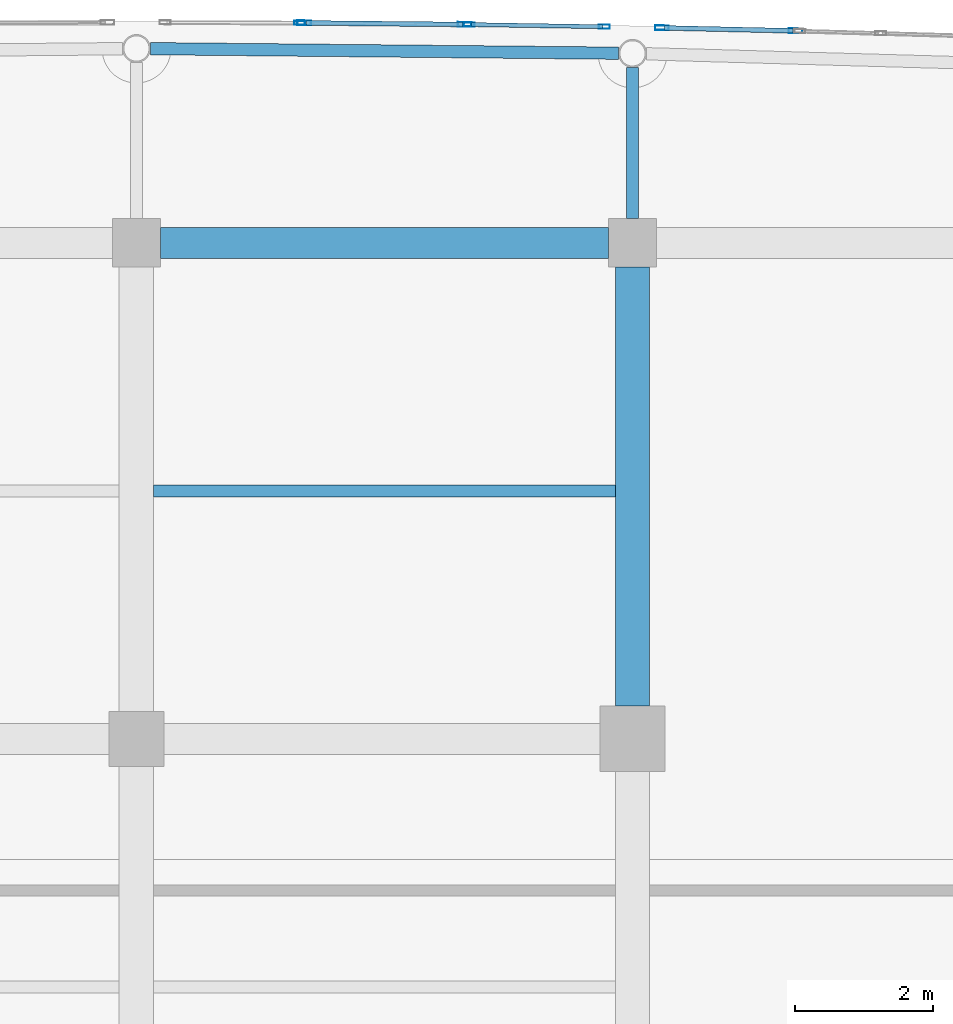
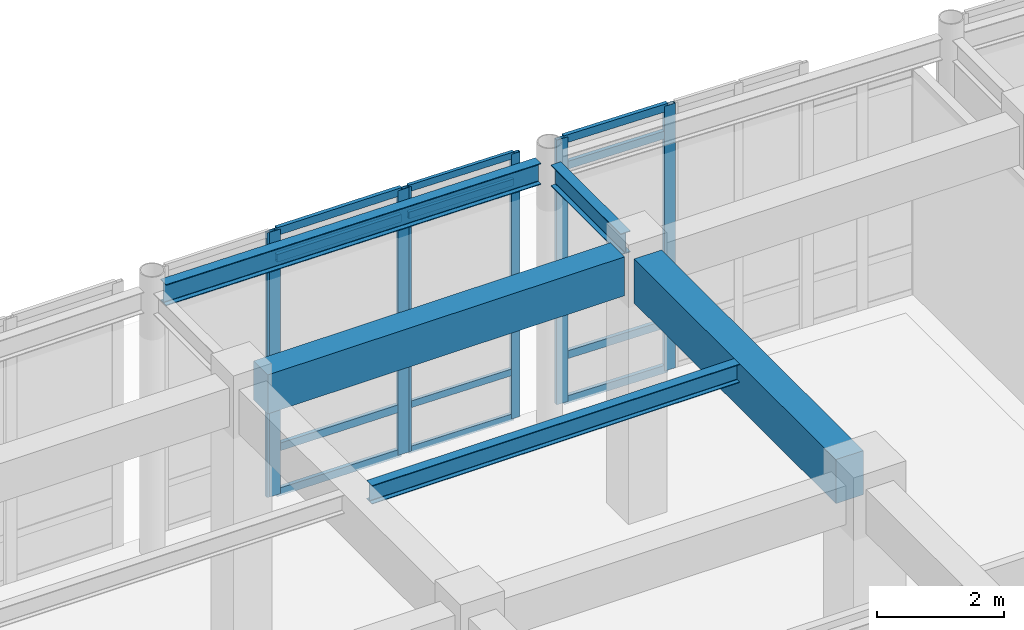
# One storey, part 45 of 102: 19 members, 5 beams, 4 elements without a shape of their own.
"""IFC4 building model written with IfcOpenShell, lengths in metres."""

from ifc_helpers import new_model, si_unit, direction, frame, origin, origin_2d, place, context, subcontext, project, spatial, rectangle, hollow_rectangle, i_section, extrude, material, layer, layer_set, material_profile, profile_set, type_object, element, aggregate, save


model = new_model("IFC4")

# Units and contexts
model_context = context("Model", 3, precision=1e-05, world=origin(), true_north=direction((0.0, 1.0)))
body_context = subcontext(model_context, "Body", "Model", "MODEL_VIEW")
ifc_project = project(units=[si_unit("LENGTHUNIT", "METRE"), si_unit("AREAUNIT", "SQUARE_METRE"), si_unit("VOLUMEUNIT", "CUBIC_METRE"), si_unit("PLANEANGLEUNIT", "RADIAN"), si_unit("MASSUNIT", "GRAM", prefix="KILO")], contexts=[model_context])

# Site, building, storey
site_placement = place(None, origin())
site = spatial("IfcSite", under=ifc_project, at=site_placement, CompositionType="ELEMENT")
building_placement = place(site_placement, origin())
building = spatial("IfcBuilding", under=site, at=building_placement, Name="Carrowvane Square Congress Hotel", CompositionType="ELEMENT")
storey_placement = place(building_placement, origin())
storey = spatial("IfcBuildingStorey", under=building, at=storey_placement, Name="L00", CompositionType="ELEMENT", Elevation=0.0)

# Beams
ifc_material_1 = material(Name="Concrete C35/45", Category="concrete")
ifc_material_profile_1 = material_profile(ifc_material_1, rectangle(XDim=0.449951171875, YDim=0.75, at=origin_2d()), Name="RC 450x750")
ifc_profile_set_1 = profile_set([ifc_material_profile_1], Name="Concrete C35/45")
beam_type_1 = type_object("IfcBeamType", Name="BM-RC-450x750", PredefinedType="USERDEFINED", material=ifc_profile_set_1)
beam_1_placement = place(storey_placement, frame((98.35009765625, 113.39990234375, 4.72509765625), z_axis=(1.0, 0.0, 0.0), x_axis=(0.0, 1.0, 0.0)))
element("IfcBeam", 1, at=beam_1_placement, inside=storey, type_object=beam_type_1, Name="L01 girder R/13-14", ObjectType="GIRDER", PredefinedType="USERDEFINED", context=body_context, shape_type="SweptSolid", body=[
    extrude(rectangle(XDim=0.449951171875, YDim=0.75, at=origin_2d()), origin(), (0.0, 0.0, 1.0), 6.5),
])
ifc_material_2 = material(Name="Concrete C35/45", Category="concrete")
ifc_material_profile_2 = material_profile(ifc_material_2, rectangle(XDim=0.5, YDim=0.85009765625, at=origin_2d()), Name="RC 500x850")
ifc_profile_set_2 = profile_set([ifc_material_profile_2], Name="Concrete C35/45")
beam_type_2 = type_object("IfcBeamType", Name="BM-RC-500x850", PredefinedType="USERDEFINED", material=ifc_profile_set_2)
beam_2_placement = place(storey_placement, frame((105.199951171875, 106.675048828125, 4.675048828125), z_axis=(0.0, 1.0, 0.0), x_axis=(-1.0, 0.0, 0.0)))
element("IfcBeam", 2, at=beam_2_placement, inside=storey, type_object=beam_type_2, Name="L01 girder 14/Q-R", ObjectType="GIRDER", PredefinedType="USERDEFINED", context=body_context, shape_type="SweptSolid", body=[
    extrude(rectangle(XDim=0.5, YDim=0.85009765625, at=origin_2d()), origin(), (0.0, 0.0, 1.0), 6.375),
])
ifc_material_3 = material(Name="Steel S355", Category="steel")
ifc_material_profile_3 = material_profile(ifc_material_3, i_section(OverallWidth=0.172119140625, OverallDepth=0.35791015625, WebThickness=0.008056640625, FlangeThickness=0.012939453125, FilletRadius=0.01025390625, at=origin_2d()), Name="UKB 356x171x57")
ifc_profile_set_3 = profile_set([ifc_material_profile_3], Name="Steel S355")
beam_type_3 = type_object("IfcBeamType", Name="BM-ST-UKB356", PredefinedType="JOIST", material=ifc_profile_set_3)
beam_3_placement = place(storey_placement, frame((98.25, 109.800048828125, 4.9208984375), z_axis=(1.0, 0.0, 0.0), x_axis=(0.0, 1.0, 0.0)))
element("IfcBeam", 3, at=beam_3_placement, inside=storey, type_object=beam_type_3, Name="L01 secondary joist 13-14", PredefinedType="JOIST", context=body_context, shape_type="SweptSolid", body=[
    extrude(i_section(OverallWidth=0.172119140625, OverallDepth=0.35791015625, WebThickness=0.008056640625, FlangeThickness=0.012939453125, FilletRadius=0.01025390625, at=origin_2d()), origin(), (0.0, 0.0, 1.0), 6.699951171875),
])
ifc_material_4 = material(Name="Steel S355", Category="steel")
ifc_material_profile_4 = material_profile(ifc_material_4, i_section(OverallWidth=0.1787109375, OverallDepth=0.409423828125, WebThickness=0.0087890625, FlangeThickness=0.014404296875, FilletRadius=0.01025390625, at=origin_2d()), Name="UKB 406x178x67")
ifc_profile_set_4 = profile_set([ifc_material_profile_4], Name="Steel S355")
beam_type_4 = type_object("IfcBeamType", Name="BM-ST-UKB406", PredefinedType="BEAM", material=ifc_profile_set_4)
beam_4_placement = place(storey_placement, frame((98.203125, 116.218017578125, 4.895263671875), z_axis=(0.999952581816, -0.009738281154, 0.0), x_axis=(0.009738281154, 0.999952581816, 0.0)))
element("IfcBeam", 4, at=beam_4_placement, inside=storey, type_object=beam_type_4, Name="L01 curved north spandrel", PredefinedType="BEAM", context=body_context, shape_type="SweptSolid", body=[
    extrude(i_section(OverallWidth=0.1787109375, OverallDepth=0.409423828125, WebThickness=0.0087890625, FlangeThickness=0.014404296875, FilletRadius=0.01025390625, at=origin_2d()), origin(), (0.0, 0.0, 1.0), 6.7939453125),
])
beam_5_placement = place(storey_placement, frame((105.199951171875, 113.75, 4.895263671875), z_axis=(0.0, 1.0, 0.0), x_axis=(-1.0, 0.0, 0.0)))
element("IfcBeam", 5, at=beam_5_placement, inside=storey, type_object=beam_type_4, Name="L01 radial north beam 14", PredefinedType="BEAM", context=body_context, shape_type="SweptSolid", body=[
    extrude(i_section(OverallWidth=0.1787109375, OverallDepth=0.409423828125, WebThickness=0.0087890625, FlangeThickness=0.014404296875, FilletRadius=0.01025390625, at=origin_2d()), origin(), (0.0, 0.0, 1.0), 2.196533203125),
])

# Curtain wall, member
ifc_material_5 = material(Name="Anodised aluminium", Category="aluminium")
ifc_layer_1 = layer(ifc_material_5, 0.18603515625)
ifc_layer_set_1 = layer_set([ifc_layer_1], Name="Anodised aluminium")
curtain_wall_type_1 = type_object("IfcCurtainWallType", Name="CW-SYS-3", PredefinedType="NOTDEFINED", material=ifc_layer_set_1)
curtain_wall_1_placement = place(storey_placement, origin())
curtain_wall_1 = element("IfcCurtainWall", 6, at=curtain_wall_1_placement, inside=storey, type_object=curtain_wall_type_1, Name="L00 unitised curtain wall 26", PredefinedType="NOTDEFINED")
ifc_material_6 = material(Name="Anodised aluminium", Category="aluminium")
ifc_material_profile_5 = material_profile(ifc_material_6, hollow_rectangle(XDim=0.06005859375, YDim=0.159912109375, WallThickness=0.00390625, at=origin_2d()), Name="CW-ML 60x160x4")
ifc_profile_set_5 = profile_set([ifc_material_profile_5], Name="Anodised aluminium")
member_type_1 = type_object("IfcMemberType", Name="CW-MUL-1", PredefinedType="MULLION", material=ifc_profile_set_5)
member_1_placement = place(storey_placement, frame((100.369873046875, 116.59228515625, 0.0), z_axis=(0.0, 0.0, 1.0), x_axis=(0.003270307911, 0.999994652529, 0.0)))
member_1 = element("IfcMember", 7, at=member_1_placement, type_object=member_type_1, Name="CW-3 mullion 2", PredefinedType="MULLION", context=body_context, shape_type="SweptSolid", body=[
    extrude(hollow_rectangle(XDim=0.06005859375, YDim=0.159912109375, WallThickness=0.00390625, at=origin_2d()), origin(), (0.0, 0.0, 1.0), 5.10009765625),
])
aggregate(curtain_wall_1, [member_1])

# Curtain wall, members
ifc_material_7 = material(Name="Anodised aluminium", Category="aluminium")
ifc_layer_2 = layer(ifc_material_7, 0.2099609375)
ifc_layer_set_2 = layer_set([ifc_layer_2], Name="Anodised aluminium")
curtain_wall_type_2 = type_object("IfcCurtainWallType", Name="CW-SYS-5", PredefinedType="NOTDEFINED", material=ifc_layer_set_2)
curtain_wall_2_placement = place(storey_placement, origin())
curtain_wall_2 = element("IfcCurtainWall", 8, at=curtain_wall_2_placement, inside=storey, type_object=curtain_wall_type_2, Name="L00 unitised curtain wall 28", PredefinedType="NOTDEFINED")
member_2_placement = place(storey_placement, frame((102.830078125, 116.568115234375, 0.0), z_axis=(0.0, 0.0, 1.0), x_axis=(0.016215981364, 0.99986851233, 0.0)))
member_2 = element("IfcMember", 9, at=member_2_placement, type_object=member_type_1, Name="CW-5 mullion 1", PredefinedType="MULLION", context=body_context, shape_type="SweptSolid", body=[
    extrude(hollow_rectangle(XDim=0.06005859375, YDim=0.159912109375, WallThickness=0.00390625, at=origin_2d()), origin(), (0.0, 0.0, 1.0), 5.10009765625),
])
member_3_placement = place(storey_placement, frame((104.79248046875, 116.536376953125, 0.0), z_axis=(0.0, 0.0, 1.0), x_axis=(0.016215981364, 0.99986851233, 0.0)))
member_3 = element("IfcMember", 10, at=member_3_placement, type_object=member_type_1, Name="CW-5 mullion 2", PredefinedType="MULLION", context=body_context, shape_type="SweptSolid", body=[
    extrude(hollow_rectangle(XDim=0.06005859375, YDim=0.159912109375, WallThickness=0.00390625, at=origin_2d()), origin(), (0.0, 0.0, 1.0), 5.10009765625),
])

ifc_material_8 = material(Name="Anodised aluminium", Category="aluminium")
ifc_layer_3 = layer(ifc_material_8, 0.197998046875)
ifc_layer_set_3 = layer_set([ifc_layer_3], Name="Anodised aluminium")
curtain_wall_type_3 = type_object("IfcCurtainWallType", Name="CW-SYS-4", PredefinedType="NOTDEFINED", material=ifc_layer_set_3)
curtain_wall_3_placement = place(storey_placement, origin())
curtain_wall_3 = element("IfcCurtainWall", 11, at=curtain_wall_3_placement, inside=storey, type_object=curtain_wall_type_3, Name="L00 unitised curtain wall 27", PredefinedType="NOTDEFINED")
ifc_material_9 = material(Name="Anodised aluminium", Category="aluminium")
ifc_material_profile_6 = material_profile(ifc_material_9, hollow_rectangle(XDim=0.070068359375, YDim=0.199951171875, WallThickness=0.0048828125, at=origin_2d()), Name="CW-ML 70x200x5")
ifc_profile_set_6 = profile_set([ifc_material_profile_6], Name="Anodised aluminium")
member_type_2 = type_object("IfcMemberType", Name="CW-MUL-2", PredefinedType="MULLION", material=ifc_profile_set_6)
member_4_placement = place(storey_placement, frame((100.43505859375, 116.591796875, 0.0), z_axis=(0.0, 0.0, 1.0), x_axis=(0.009782905924, 0.999952146231, 0.0)))
member_4 = element("IfcMember", 12, at=member_4_placement, type_object=member_type_2, Name="CW-4 mullion 1", PredefinedType="MULLION", context=body_context, shape_type="SweptSolid", body=[
    extrude(hollow_rectangle(XDim=0.070068359375, YDim=0.199951171875, WallThickness=0.0048828125, at=origin_2d()), origin(), (0.0, 0.0, 1.0), 5.10009765625),
])
member_5_placement = place(storey_placement, frame((102.764892578125, 116.569091796875, 0.0), z_axis=(0.0, 0.0, 1.0), x_axis=(0.009782905924, 0.999952146231, 0.0)))
member_5 = element("IfcMember", 13, at=member_5_placement, type_object=member_type_2, Name="CW-4 mullion 2", PredefinedType="MULLION", context=body_context, shape_type="SweptSolid", body=[
    extrude(hollow_rectangle(XDim=0.070068359375, YDim=0.199951171875, WallThickness=0.0048828125, at=origin_2d()), origin(), (0.0, 0.0, 1.0), 5.10009765625),
])

ifc_material_10 = material(Name="Anodised aluminium", Category="aluminium")
ifc_layer_4 = layer(ifc_material_10, 0.221923828125)
ifc_layer_set_4 = layer_set([ifc_layer_4], Name="Anodised aluminium")
curtain_wall_type_4 = type_object("IfcCurtainWallType", Name="CW-SYS-6", PredefinedType="NOTDEFINED", material=ifc_layer_set_4)
curtain_wall_4_placement = place(storey_placement, origin())
curtain_wall_4 = element("IfcCurtainWall", 14, at=curtain_wall_4_placement, inside=storey, type_object=curtain_wall_type_4, Name="L00 unitised curtain wall 29", PredefinedType="NOTDEFINED")
member_6_placement = place(storey_placement, frame((105.627197265625, 116.52001953125, 0.0), z_axis=(0.0, 0.0, 1.0), x_axis=(0.022517686606, 0.99974644475, 0.0)))
member_6 = element("IfcMember", 15, at=member_6_placement, type_object=member_type_2, Name="CW-6 mullion 1", PredefinedType="MULLION", context=body_context, shape_type="SweptSolid", body=[
    extrude(hollow_rectangle(XDim=0.070068359375, YDim=0.199951171875, WallThickness=0.0048828125, at=origin_2d()), origin(), (0.0, 0.0, 1.0), 5.10009765625),
])
member_7_placement = place(storey_placement, frame((107.56494140625, 116.4765625, 0.0), z_axis=(0.0, 0.0, 1.0), x_axis=(0.022517686606, 0.99974644475, 0.0)))
member_7 = element("IfcMember", 16, at=member_7_placement, type_object=member_type_2, Name="CW-6 mullion 2", PredefinedType="MULLION", context=body_context, shape_type="SweptSolid", body=[
    extrude(hollow_rectangle(XDim=0.070068359375, YDim=0.199951171875, WallThickness=0.0048828125, at=origin_2d()), origin(), (0.0, 0.0, 1.0), 5.10009765625),
])

# Member
ifc_material_11 = material(Name="Anodised aluminium", Category="aluminium")
ifc_material_profile_7 = material_profile(ifc_material_11, hollow_rectangle(XDim=0.06005859375, YDim=0.1298828125, WallThickness=0.00390625, at=origin_2d()), Name="CW-TR 60x130x4")
ifc_profile_set_7 = profile_set([ifc_material_profile_7], Name="Anodised aluminium")
member_type_3 = type_object("IfcMemberType", Name="CW-TRN-1", PredefinedType="USERDEFINED", material=ifc_profile_set_7)
member_8_placement = place(storey_placement, frame((102.860107421875, 116.567626953125, 0.030029296875), z_axis=(0.999869284212, -0.016168317481, 0.0), x_axis=(0.016168317481, 0.999869284212, 0.0)))
member_8 = element("IfcMember", 17, at=member_8_placement, type_object=member_type_3, Name="CW-5 transom 1.1", ObjectType="TRANSOM", PredefinedType="USERDEFINED", context=body_context, shape_type="SweptSolid", body=[
    extrude(hollow_rectangle(XDim=0.06005859375, YDim=0.1298828125, WallThickness=0.00390625, at=origin_2d()), origin(), (0.0, 0.0, 1.0), 1.902587890625),
])

member_9_placement = place(storey_placement, frame((102.860107421875, 116.567626953125, 0.89990234375), z_axis=(0.999869284212, -0.016168317481, 0.0), x_axis=(0.016168317481, 0.999869284212, 0.0)))
member_9 = element("IfcMember", 18, at=member_9_placement, type_object=member_type_3, Name="CW-5 transom 1.2", ObjectType="TRANSOM", PredefinedType="USERDEFINED", context=body_context, shape_type="SweptSolid", body=[
    extrude(hollow_rectangle(XDim=0.06005859375, YDim=0.1298828125, WallThickness=0.00390625, at=origin_2d()), origin(), (0.0, 0.0, 1.0), 1.902587890625),
])

member_10_placement = place(storey_placement, frame((102.860107421875, 116.567626953125, 4.550048828125), z_axis=(0.999869284212, -0.016168317481, 0.0), x_axis=(0.016168317481, 0.999869284212, 0.0)))
member_10 = element("IfcMember", 19, at=member_10_placement, type_object=member_type_3, Name="CW-5 transom 1.3", ObjectType="TRANSOM", PredefinedType="USERDEFINED", context=body_context, shape_type="SweptSolid", body=[
    extrude(hollow_rectangle(XDim=0.06005859375, YDim=0.1298828125, WallThickness=0.00390625, at=origin_2d()), origin(), (0.0, 0.0, 1.0), 1.902587890625),
])

member_11_placement = place(storey_placement, frame((102.860107421875, 116.567626953125, 5.070068359375), z_axis=(0.999869284212, -0.016168317481, 0.0), x_axis=(0.016168317481, 0.999869284212, 0.0)))
member_11 = element("IfcMember", 20, at=member_11_placement, type_object=member_type_3, Name="CW-5 transom 1.4", ObjectType="TRANSOM", PredefinedType="USERDEFINED", context=body_context, shape_type="SweptSolid", body=[
    extrude(hollow_rectangle(XDim=0.06005859375, YDim=0.1298828125, WallThickness=0.00390625, at=origin_2d()), origin(), (0.0, 0.0, 1.0), 1.902587890625),
])

aggregate(curtain_wall_2, [member_2, member_3, member_8, member_9, member_10, member_11])

ifc_material_12 = material(Name="Anodised aluminium", Category="aluminium")
ifc_material_profile_8 = material_profile(ifc_material_12, hollow_rectangle(XDim=0.070068359375, YDim=0.14990234375, WallThickness=0.0048828125, at=origin_2d()), Name="CW-TR 70x150x5")
ifc_profile_set_8 = profile_set([ifc_material_profile_8], Name="Anodised aluminium")
member_type_4 = type_object("IfcMemberType", Name="CW-TRN-2", PredefinedType="USERDEFINED", material=ifc_profile_set_8)
member_12_placement = place(storey_placement, frame((100.469970703125, 116.591552734375, 0.034912109375), z_axis=(0.999951685133, -0.009829923663, 0.0), x_axis=(0.009829923663, 0.999951685133, 0.0)))
member_12 = element("IfcMember", 21, at=member_12_placement, type_object=member_type_4, Name="CW-4 transom 1.1", ObjectType="TRANSOM", PredefinedType="USERDEFINED", context=body_context, shape_type="SweptSolid", body=[
    extrude(hollow_rectangle(XDim=0.070068359375, YDim=0.14990234375, WallThickness=0.0048828125, at=origin_2d()), origin(), (0.0, 0.0, 1.0), 2.260009765625),
])

member_13_placement = place(storey_placement, frame((100.469970703125, 116.591552734375, 0.89990234375), z_axis=(0.999951685133, -0.009829923663, 0.0), x_axis=(0.009829923663, 0.999951685133, 0.0)))
member_13 = element("IfcMember", 22, at=member_13_placement, type_object=member_type_4, Name="CW-4 transom 1.2", ObjectType="TRANSOM", PredefinedType="USERDEFINED", context=body_context, shape_type="SweptSolid", body=[
    extrude(hollow_rectangle(XDim=0.070068359375, YDim=0.14990234375, WallThickness=0.0048828125, at=origin_2d()), origin(), (0.0, 0.0, 1.0), 2.260009765625),
])

member_14_placement = place(storey_placement, frame((100.469970703125, 116.591552734375, 4.550048828125), z_axis=(0.999951685133, -0.009829923663, 0.0), x_axis=(0.009829923663, 0.999951685133, 0.0)))
member_14 = element("IfcMember", 23, at=member_14_placement, type_object=member_type_4, Name="CW-4 transom 1.3", ObjectType="TRANSOM", PredefinedType="USERDEFINED", context=body_context, shape_type="SweptSolid", body=[
    extrude(hollow_rectangle(XDim=0.070068359375, YDim=0.14990234375, WallThickness=0.0048828125, at=origin_2d()), origin(), (0.0, 0.0, 1.0), 2.260009765625),
])

member_15_placement = place(storey_placement, frame((100.469970703125, 116.591552734375, 5.06494140625), z_axis=(0.999951685133, -0.009829923663, 0.0), x_axis=(0.009829923663, 0.999951685133, 0.0)))
member_15 = element("IfcMember", 24, at=member_15_placement, type_object=member_type_4, Name="CW-4 transom 1.4", ObjectType="TRANSOM", PredefinedType="USERDEFINED", context=body_context, shape_type="SweptSolid", body=[
    extrude(hollow_rectangle(XDim=0.070068359375, YDim=0.14990234375, WallThickness=0.0048828125, at=origin_2d()), origin(), (0.0, 0.0, 1.0), 2.260009765625),
])

aggregate(curtain_wall_3, [member_4, member_5, member_12, member_13, member_14, member_15])

member_16_placement = place(storey_placement, frame((105.662353515625, 116.519287109375, 0.034912109375), z_axis=(0.999747338303, -0.022477979371, 0.0), x_axis=(0.022477979371, 0.999747338303, 0.0)))
member_16 = element("IfcMember", 25, at=member_16_placement, type_object=member_type_4, Name="CW-6 transom 1.1", ObjectType="TRANSOM", PredefinedType="USERDEFINED", context=body_context, shape_type="SweptSolid", body=[
    extrude(hollow_rectangle(XDim=0.070068359375, YDim=0.14990234375, WallThickness=0.0048828125, at=origin_2d()), origin(), (0.0, 0.0, 1.0), 1.8681640625),
])

member_17_placement = place(storey_placement, frame((105.662353515625, 116.519287109375, 0.89990234375), z_axis=(0.999747338303, -0.022477979371, 0.0), x_axis=(0.022477979371, 0.999747338303, 0.0)))
member_17 = element("IfcMember", 26, at=member_17_placement, type_object=member_type_4, Name="CW-6 transom 1.2", ObjectType="TRANSOM", PredefinedType="USERDEFINED", context=body_context, shape_type="SweptSolid", body=[
    extrude(hollow_rectangle(XDim=0.070068359375, YDim=0.14990234375, WallThickness=0.0048828125, at=origin_2d()), origin(), (0.0, 0.0, 1.0), 1.8681640625),
])

member_18_placement = place(storey_placement, frame((105.662353515625, 116.519287109375, 4.550048828125), z_axis=(0.999747338303, -0.022477979371, 0.0), x_axis=(0.022477979371, 0.999747338303, 0.0)))
member_18 = element("IfcMember", 27, at=member_18_placement, type_object=member_type_4, Name="CW-6 transom 1.3", ObjectType="TRANSOM", PredefinedType="USERDEFINED", context=body_context, shape_type="SweptSolid", body=[
    extrude(hollow_rectangle(XDim=0.070068359375, YDim=0.14990234375, WallThickness=0.0048828125, at=origin_2d()), origin(), (0.0, 0.0, 1.0), 1.8681640625),
])

member_19_placement = place(storey_placement, frame((105.662353515625, 116.519287109375, 5.06494140625), z_axis=(0.999747338303, -0.022477979371, 0.0), x_axis=(0.022477979371, 0.999747338303, 0.0)))
member_19 = element("IfcMember", 28, at=member_19_placement, type_object=member_type_4, Name="CW-6 transom 1.4", ObjectType="TRANSOM", PredefinedType="USERDEFINED", context=body_context, shape_type="SweptSolid", body=[
    extrude(hollow_rectangle(XDim=0.070068359375, YDim=0.14990234375, WallThickness=0.0048828125, at=origin_2d()), origin(), (0.0, 0.0, 1.0), 1.8681640625),
])

aggregate(curtain_wall_4, [member_6, member_7, member_16, member_17, member_18, member_19])

save(model, "model.ifc")
